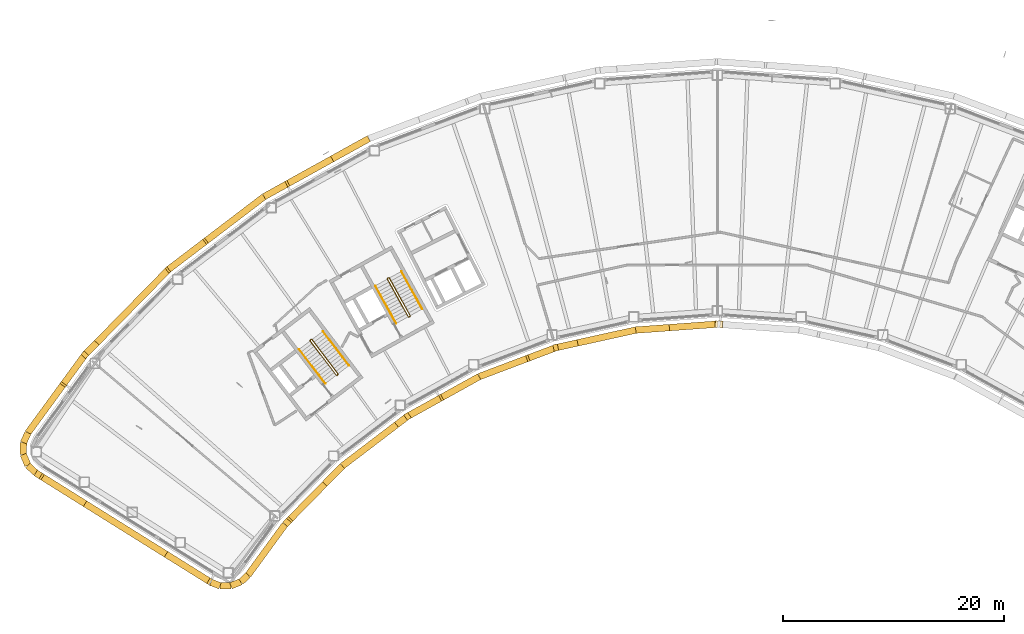
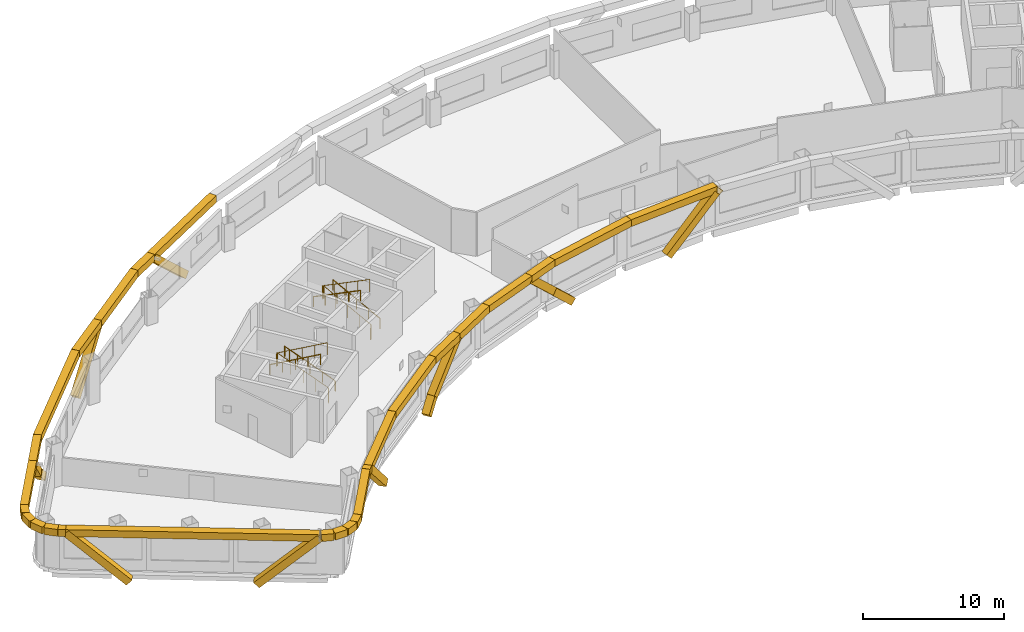
# One storey, part 17 of 20: 40 coverings, 6 railings.
"""IFC4 building model written with IfcOpenShell, lengths in metres."""

from ifc_helpers import new_model, si_unit, direction, frame, origin, origin_2d, place, context, subcontext, project, spatial, rectangle, circle, extrude, material, material_profile, profile_set, type_object, element, save


model = new_model("IFC4")

# Units and contexts
model_context = context("Model", 3, precision=1e-05, world=origin(), true_north=direction((0.0, 1.0)))
body_context = subcontext(model_context, "Body", "Model", "MODEL_VIEW")
ifc_project = project(units=[si_unit("LENGTHUNIT", "METRE"), si_unit("AREAUNIT", "SQUARE_METRE"), si_unit("VOLUMEUNIT", "CUBIC_METRE"), si_unit("PLANEANGLEUNIT", "RADIAN"), si_unit("MASSUNIT", "GRAM", prefix="KILO")], contexts=[model_context])

# Site, building, storey
site_placement = place(None, origin())
site = spatial("IfcSite", under=ifc_project, at=site_placement, CompositionType="ELEMENT")
building_placement = place(site_placement, origin())
building = spatial("IfcBuilding", under=site, at=building_placement, Name="Tuul Gate Civic Tower", CompositionType="ELEMENT")
storey_placement = place(building_placement, frame((0.0, 0.0, 197.300048828125)))
storey = spatial("IfcBuildingStorey", under=building, at=storey_placement, Name="Level 45", CompositionType="ELEMENT", Elevation=197.300048828125)

# Railings
ifc_material_1 = material(Name="Painted steel", Category="steel")
railing_type_1 = type_object("IfcRailingType", Name="Stair guard", PredefinedType="GUARDRAIL", material=ifc_material_1)
railing_1_placement = place(storey_placement, frame((-33.382080078125, -13.515380859375, 0.0)))
element("IfcRailing", 1, at=railing_1_placement, inside=storey, type_object=railing_type_1, Name="Level 45 ST-1 stair guard 1", PredefinedType="GUARDRAIL", context=body_context, shape_type="SweptSolid", body=[
    extrude(circle(Radius=0.02392578125, at=origin_2d()), frame((0.0, 0.0, 1.076171875), z_axis=(-0.795879841968, -0.605454603706, 0.0), x_axis=(0.605454603706, -0.795879841968, 0.0)), (0.0, 0.0, 1.0), 0.10009765625),
    extrude(circle(Radius=0.02392578125, at=origin_2d()), frame((-0.07958984375, -0.060546875, 1.076171875), z_axis=(0.408991890351, 0.599481263939, 0.688002796371), x_axis=(-0.826063974707, 0.563576356576, 0.0)), (0.0, 0.0, 1.0), 0.2177734375),
    extrude(circle(Radius=0.02392578125, at=origin_2d()), frame((0.009521484375, 0.070068359375, 1.22607421875), z_axis=(-0.541824460341, 0.711645023348, 0.447199748346), x_axis=(-0.795637165283, -0.60577347352, 0.0)), (0.0, 0.0, 1.0), 4.3603515625),
    extrude(circle(Radius=0.02392578125, at=origin_2d()), frame((-2.35302734375, 3.173095703125, 3.17578125), z_axis=(-0.990893089246, 0.134650977284, 0.0), x_axis=(-0.134650977284, -0.990893089246, 0.0)), (0.0, 0.0, 1.0), 0.07080078125),
    extrude(circle(Radius=0.02392578125, at=origin_2d()), frame((-2.423095703125, 3.1826171875, 3.17578125), z_axis=(-0.793802879778, -0.60817512943, 0.0), x_axis=(0.60817512943, -0.793802879778, 0.0)), (0.0, 0.0, 1.0), 0.099853515625),
    extrude(circle(Radius=0.02392578125, at=origin_2d()), frame((-2.50244140625, 3.121826171875, 3.17578125), z_axis=(-0.057370624079, -0.422188951554, 0.904690610473), x_axis=(0.990893089246, -0.134650977284, 0.0)), (0.0, 0.0, 1.0), 0.166015625),
    extrude(circle(Radius=0.02392578125, at=origin_2d()), frame((-2.511962890625, 3.0517578125, 3.326171875), z_axis=(0.541806494602, -0.71163897684, 0.447231136047), x_axis=(0.795644365679, 0.605764016233, 0.0)), (0.0, 0.0, 1.0), 4.360107421875),
    extrude(circle(Radius=0.02099609375, at=origin_2d()), origin(), (0.0, 0.0, 1.0), 1.052001953125),
    extrude(circle(Radius=0.02099609375, at=origin_2d()), frame((-0.07958984375, -0.060546875, 0.0)), (0.0, 0.0, 1.0), 1.052001953125),
    extrude(circle(Radius=0.02099609375, at=origin_2d()), frame((0.009521484375, 0.070068359375, 0.14990234375)), (0.0, 0.0, 1.0), 1.052001953125),
    extrude(circle(Radius=0.02099609375, at=origin_2d()), frame((-0.5810546875, 0.845703125, 0.637451171875)), (0.0, 0.0, 1.0), 1.052001953125),
    extrude(circle(Radius=0.02099609375, at=origin_2d()), frame((-1.171875, 1.62158203125, 1.125)), (0.0, 0.0, 1.0), 1.052001953125),
    extrude(circle(Radius=0.02099609375, at=origin_2d()), frame((-1.762451171875, 2.3974609375, 1.6123046875)), (0.0, 0.0, 1.0), 1.052001953125),
    extrude(circle(Radius=0.02099609375, at=origin_2d()), frame((-2.35302734375, 3.173095703125, 2.099853515625)), (0.0, 0.0, 1.0), 1.052001953125),
    extrude(circle(Radius=0.02099609375, at=origin_2d()), frame((-2.423095703125, 3.1826171875, 2.099853515625)), (0.0, 0.0, 1.0), 1.052001953125),
    extrude(circle(Radius=0.02099609375, at=origin_2d()), frame((-2.50244140625, 3.121826171875, 2.099853515625)), (0.0, 0.0, 1.0), 1.052001953125),
    extrude(circle(Radius=0.02099609375, at=origin_2d()), frame((-2.511962890625, 3.0517578125, 2.25)), (0.0, 0.0, 1.0), 1.052001953125),
    extrude(circle(Radius=0.02099609375, at=origin_2d()), frame((-1.92138671875, 2.276123046875, 2.737548828125)), (0.0, 0.0, 1.0), 1.052001953125),
    extrude(circle(Radius=0.02099609375, at=origin_2d()), frame((-1.330810546875, 1.50048828125, 3.22509765625)), (0.0, 0.0, 1.0), 1.052001953125),
    extrude(circle(Radius=0.02099609375, at=origin_2d()), frame((-0.740234375, 0.724609375, 3.71240234375)), (0.0, 0.0, 1.0), 1.052001953125),
    extrude(circle(Radius=0.02099609375, at=origin_2d()), frame((-0.149658203125, -0.051025390625, 4.199951171875)), (0.0, 0.0, 1.0), 1.052001953125),
])
railing_2_placement = place(storey_placement, frame((-26.857666015625, -8.247314453125, 0.0)))
element("IfcRailing", 2, at=railing_2_placement, inside=storey, type_object=railing_type_1, Name="Level 45 ST-2 stair guard 1", PredefinedType="GUARDRAIL", context=body_context, shape_type="SweptSolid", body=[
    extrude(circle(Radius=0.02392578125, at=origin_2d()), frame((0.0, 0.0, 1.076171875), z_axis=(-0.874616555828, -0.48481530532, 0.0), x_axis=(0.48481530532, -0.874616555828, 0.0)), (0.0, 0.0, 1.0), 0.10009765625),
    extrude(circle(Radius=0.02392578125, at=origin_2d()), frame((-0.087646484375, -0.048583984375, 1.076171875), z_axis=(0.49081399482, 0.534516610797, 0.688036056665), x_axis=(-0.736576986774, 0.676353711126, 0.0)), (0.0, 0.0, 1.0), 0.2177734375),
    extrude(circle(Radius=0.02392578125, at=origin_2d()), frame((0.019287109375, 0.06787109375, 1.22607421875), z_axis=(-0.43354991378, 0.782327185242, 0.447212083348), x_axis=(-0.874667644053, -0.484723129681, 0.0)), (0.0, 0.0, 1.0), 4.3603515625),
    extrude(circle(Radius=0.02392578125, at=origin_2d()), frame((-1.87109375, 3.47900390625, 3.17578125), z_axis=(-0.961263487578, 0.275631107549, 0.0), x_axis=(-0.275631107549, -0.961263487578, 0.0)), (0.0, 0.0, 1.0), 0.07080078125),
    extrude(circle(Radius=0.02392578125, at=origin_2d()), frame((-1.939208984375, 3.49853515625, 3.17578125), z_axis=(-0.874042088414, -0.485850211157, 0.0), x_axis=(0.485850211157, -0.874042088414, 0.0)), (0.0, 0.0, 1.0), 0.10009765625),
    extrude(circle(Radius=0.02392578125, at=origin_2d()), frame((-2.026611328125, 3.449951171875, 3.17578125), z_axis=(-0.117709570447, -0.409040757305, 0.904892322815), x_axis=(0.961000426733, -0.276546885391, 0.0)), (0.0, 0.0, 1.0), 0.166015625),
    extrude(circle(Radius=0.02392578125, at=origin_2d()), frame((-2.046142578125, 3.382080078125, 3.326171875), z_axis=(0.433595379963, -0.782308193291, 0.447201226726), x_axis=(0.874641102302, 0.484771020343, 0.0)), (0.0, 0.0, 1.0), 4.3603515625),
    extrude(circle(Radius=0.02099609375, at=origin_2d()), origin(), (0.0, 0.0, 1.0), 1.052001953125),
    extrude(circle(Radius=0.02099609375, at=origin_2d()), frame((-0.087646484375, -0.048583984375, 0.0)), (0.0, 0.0, 1.0), 1.052001953125),
    extrude(circle(Radius=0.02099609375, at=origin_2d()), frame((0.019287109375, 0.06787109375, 0.14990234375)), (0.0, 0.0, 1.0), 1.052001953125),
    extrude(circle(Radius=0.02099609375, at=origin_2d()), frame((-0.453369140625, 0.920654296875, 0.637451171875)), (0.0, 0.0, 1.0), 1.052001953125),
    extrude(circle(Radius=0.02099609375, at=origin_2d()), frame((-0.92578125, 1.7734375, 1.125)), (0.0, 0.0, 1.0), 1.052001953125),
    extrude(circle(Radius=0.02099609375, at=origin_2d()), frame((-1.3984375, 2.626220703125, 1.6123046875)), (0.0, 0.0, 1.0), 1.052001953125),
    extrude(circle(Radius=0.02099609375, at=origin_2d()), frame((-1.87109375, 3.47900390625, 2.099853515625)), (0.0, 0.0, 1.0), 1.052001953125),
    extrude(circle(Radius=0.02099609375, at=origin_2d()), frame((-1.939208984375, 3.49853515625, 2.099853515625)), (0.0, 0.0, 1.0), 1.052001953125),
    extrude(circle(Radius=0.02099609375, at=origin_2d()), frame((-2.026611328125, 3.449951171875, 2.099853515625)), (0.0, 0.0, 1.0), 1.052001953125),
    extrude(circle(Radius=0.02099609375, at=origin_2d()), frame((-2.046142578125, 3.382080078125, 2.25)), (0.0, 0.0, 1.0), 1.052001953125),
    extrude(circle(Radius=0.02099609375, at=origin_2d()), frame((-1.573486328125, 2.529296875, 2.737548828125)), (0.0, 0.0, 1.0), 1.052001953125),
    extrude(circle(Radius=0.02099609375, at=origin_2d()), frame((-1.100830078125, 1.676513671875, 3.22509765625)), (0.0, 0.0, 1.0), 1.052001953125),
    extrude(circle(Radius=0.02099609375, at=origin_2d()), frame((-0.628173828125, 0.82373046875, 3.71240234375)), (0.0, 0.0, 1.0), 1.052001953125),
    extrude(circle(Radius=0.02099609375, at=origin_2d()), frame((-0.155517578125, -0.029052734375, 4.199951171875)), (0.0, 0.0, 1.0), 1.052001953125),
])
ifc_material_2 = material(Name="Painted steel", Category="steel")
railing_type_2 = type_object("IfcRailingType", Name="Stair handrail", PredefinedType="HANDRAIL", material=ifc_material_2)
railing_3_placement = place(storey_placement, frame((-32.3779296875, -12.688232421875, 0.14990234375)))
element("IfcRailing", 3, at=railing_3_placement, inside=storey, type_object=railing_type_2, Name="Level 45 ST-1 stair handrail 1", PredefinedType="HANDRAIL", context=body_context, shape_type="SweptSolid", body=[
    extrude(circle(Radius=0.02392578125, at=origin_2d()), frame((0.0, 0.0, 0.8759765625), z_axis=(-0.541824460341, 0.711645023348, 0.447199748346), x_axis=(-0.795637165283, -0.60577347352, 0.0)), (0.0, 0.0, 1.0), 4.3603515625),
    extrude(circle(Radius=0.02099609375, at=origin_2d()), origin(), (0.0, 0.0, 1.0), 0.851806640625),
    extrude(circle(Radius=0.02099609375, at=origin_2d()), frame((-0.590576171875, 0.77587890625, 0.487548828125)), (0.0, 0.0, 1.0), 0.851806640625),
    extrude(circle(Radius=0.02099609375, at=origin_2d()), frame((-1.18115234375, 1.551513671875, 0.97509765625)), (0.0, 0.0, 1.0), 0.851806640625),
    extrude(circle(Radius=0.02099609375, at=origin_2d()), frame((-1.77197265625, 2.3271484375, 1.46240234375)), (0.0, 0.0, 1.0), 0.851806640625),
    extrude(circle(Radius=0.02099609375, at=origin_2d()), frame((-2.362548828125, 3.10302734375, 1.949951171875)), (0.0, 0.0, 1.0), 0.851806640625),
])
railing_4_placement = place(storey_placement, frame((-36.888671875, -11.220703125, 2.25)))
element("IfcRailing", 4, at=railing_4_placement, inside=storey, type_object=railing_type_2, Name="Level 45 ST-1 stair handrail 2", PredefinedType="HANDRAIL", context=body_context, shape_type="SweptSolid", body=[
    extrude(circle(Radius=0.02392578125, at=origin_2d()), frame((0.0, 0.0, 0.8759765625), z_axis=(0.541824460341, -0.711645023348, 0.447199748346), x_axis=(0.795637165283, 0.60577347352, 0.0)), (0.0, 0.0, 1.0), 4.3603515625),
    extrude(circle(Radius=0.02099609375, at=origin_2d()), origin(), (0.0, 0.0, 1.0), 0.851806640625),
    extrude(circle(Radius=0.02099609375, at=origin_2d()), frame((0.590576171875, -0.77587890625, 0.487548828125)), (0.0, 0.0, 1.0), 0.851806640625),
    extrude(circle(Radius=0.02099609375, at=origin_2d()), frame((1.18115234375, -1.551513671875, 0.97509765625)), (0.0, 0.0, 1.0), 0.851806640625),
    extrude(circle(Radius=0.02099609375, at=origin_2d()), frame((1.77197265625, -2.3271484375, 1.46240234375)), (0.0, 0.0, 1.0), 0.851806640625),
    extrude(circle(Radius=0.02099609375, at=origin_2d()), frame((2.362548828125, -3.10302734375, 1.949951171875)), (0.0, 0.0, 1.0), 0.851806640625),
])
railing_5_placement = place(storey_placement, frame((-25.744873046875, -7.573486328125, 0.14990234375)))
element("IfcRailing", 5, at=railing_5_placement, inside=storey, type_object=railing_type_2, Name="Level 45 ST-2 stair handrail 1", PredefinedType="HANDRAIL", context=body_context, shape_type="SweptSolid", body=[
    extrude(circle(Radius=0.02392578125, at=origin_2d()), frame((0.0, 0.0, 0.8759765625), z_axis=(-0.433595379963, 0.782308193291, 0.447201226726), x_axis=(-0.874641102302, -0.484771020343, 0.0)), (0.0, 0.0, 1.0), 4.3603515625),
    extrude(circle(Radius=0.02099609375, at=origin_2d()), origin(), (0.0, 0.0, 1.0), 0.851806640625),
    extrude(circle(Radius=0.02099609375, at=origin_2d()), frame((-0.47265625, 0.852783203125, 0.487548828125)), (0.0, 0.0, 1.0), 0.851806640625),
    extrude(circle(Radius=0.02099609375, at=origin_2d()), frame((-0.9453125, 1.70556640625, 0.97509765625)), (0.0, 0.0, 1.0), 0.851806640625),
    extrude(circle(Radius=0.02099609375, at=origin_2d()), frame((-1.41796875, 2.558349609375, 1.46240234375)), (0.0, 0.0, 1.0), 0.851806640625),
    extrude(circle(Radius=0.02099609375, at=origin_2d()), frame((-1.890625, 3.4111328125, 1.949951171875)), (0.0, 0.0, 1.0), 0.851806640625),
])
railing_6_placement = place(storey_placement, frame((-29.9970703125, -5.47119140625, 2.25)))
element("IfcRailing", 6, at=railing_6_placement, inside=storey, type_object=railing_type_2, Name="Level 45 ST-2 stair handrail 2", PredefinedType="HANDRAIL", context=body_context, shape_type="SweptSolid", body=[
    extrude(circle(Radius=0.02392578125, at=origin_2d()), frame((0.0, 0.0, 0.8759765625), z_axis=(0.433595379963, -0.782308193291, 0.447201226726), x_axis=(0.874641102302, 0.484771020343, 0.0)), (0.0, 0.0, 1.0), 4.3603515625),
    extrude(circle(Radius=0.02099609375, at=origin_2d()), origin(), (0.0, 0.0, 1.0), 0.851806640625),
    extrude(circle(Radius=0.02099609375, at=origin_2d()), frame((0.47265625, -0.852783203125, 0.487548828125)), (0.0, 0.0, 1.0), 0.851806640625),
    extrude(circle(Radius=0.02099609375, at=origin_2d()), frame((0.9453125, -1.70556640625, 0.97509765625)), (0.0, 0.0, 1.0), 0.851806640625),
    extrude(circle(Radius=0.02099609375, at=origin_2d()), frame((1.41796875, -2.558349609375, 1.46240234375)), (0.0, 0.0, 1.0), 0.851806640625),
    extrude(circle(Radius=0.02099609375, at=origin_2d()), frame((1.890625, -3.4111328125, 1.949951171875)), (0.0, 0.0, 1.0), 0.851806640625),
])

# Coverings
ifc_material_3 = material(Name="Terracotta baguette", Category="masonry")
ifc_material_profile = material_profile(ifc_material_3, rectangle(XDim=0.60009765625, YDim=0.60009765625, at=origin_2d()), Name="Terracotta baguette screen frame")
ifc_profile_set = profile_set([ifc_material_profile], Name="Terracotta baguette")
covering_type = type_object("IfcCoveringType", Name="Terracotta baguette screen frame", PredefinedType="CLADDING", material=ifc_profile_set)
covering_1_placement = place(storey_placement, frame((-34.08251953125, 5.91943359375, -0.35009765625), z_axis=(-0.641784666294, -0.355744032612, 0.679381060504), x_axis=(0.484806475071, -0.874621450531, 0.0)))
element("IfcCovering", 7, at=covering_1_placement, inside=storey, type_object=covering_type, Name="Baguette 104", PredefinedType="CLADDING", context=body_context, shape_type="SweptSolid", body=[
    extrude(rectangle(XDim=0.60009765625, YDim=0.60009765625, at=origin_2d()), origin(), (0.0, 0.0, 1.0), 6.18212890625),
])
covering_2_placement = place(storey_placement, frame((-38.050048828125, 3.72021484375, 3.849853515625), z_axis=(-0.874635533346, -0.484781067915, 0.0), x_axis=(0.484781067915, -0.874635533346, 0.0)))
element("IfcCovering", 8, at=covering_2_placement, inside=storey, type_object=covering_type, Name="Baguette 109", PredefinedType="CLADDING", context=body_context, shape_type="SweptSolid", body=[
    extrude(rectangle(XDim=0.60009765625, YDim=0.60009765625, at=origin_2d()), origin(), (0.0, 0.0, 1.0), 2.3095703125),
])
covering_3_placement = place(storey_placement, frame((-40.070068359375, 2.6005859375, 3.849853515625), z_axis=(-0.795616483898, -0.605800635977, 0.0), x_axis=(0.605800635977, -0.795616483898, 0.0)))
element("IfcCovering", 9, at=covering_3_placement, inside=storey, type_object=covering_type, Name="Baguette 110", PredefinedType="CLADDING", context=body_context, shape_type="SweptSolid", body=[
    extrude(rectangle(XDim=0.60009765625, YDim=0.60009765625, at=origin_2d()), origin(), (0.0, 0.0, 1.0), 6.762939453125),
])
covering_4_placement = place(storey_placement, frame((-45.45068359375, -1.496337890625, 3.849853515625), z_axis=(-0.583816270672, -0.444522370607, -0.679380912396), x_axis=(0.605793108402, -0.79562221551, 0.0)))
element("IfcCovering", 10, at=covering_4_placement, inside=storey, type_object=covering_type, Name="Baguette 113", PredefinedType="CLADDING", context=body_context, shape_type="SweptSolid", body=[
    extrude(rectangle(XDim=0.60009765625, YDim=0.60009765625, at=origin_2d()), origin(), (0.0, 0.0, 1.0), 5.57177734375),
])
covering_5_placement = place(storey_placement, frame((-55.3681640625, -10.771484375, -0.35009765625), z_axis=(-0.513649237452, -0.524016469767, 0.679390315119), x_axis=(0.714135785527, -0.700007199842, 0.0)))
element("IfcCovering", 11, at=covering_5_placement, inside=storey, type_object=covering_type, Name="Baguette 127", PredefinedType="CLADDING", context=body_context, shape_type="SweptSolid", body=[
    extrude(rectangle(XDim=0.60009765625, YDim=0.60009765625, at=origin_2d()), origin(), (0.0, 0.0, 1.0), 1.813232421875),
])
covering_6_placement = place(storey_placement, frame((-56.299560546875, -11.7216796875, 0.8818359375), z_axis=(-0.433756102207, -0.593983365967, 0.677524468011), x_axis=(0.807590994458, -0.589742982723, 0.0)))
element("IfcCovering", 12, at=covering_6_placement, inside=storey, type_object=covering_type, Name="Baguette 128", PredefinedType="CLADDING", context=body_context, shape_type="SweptSolid", body=[
    extrude(rectangle(XDim=0.60009765625, YDim=0.60009765625, at=origin_2d()), origin(), (0.0, 0.0, 1.0), 4.380615234375),
])
covering_7_placement = place(storey_placement, frame((-58.19970703125, -14.32373046875, 3.849853515625), z_axis=(-0.589776736923, -0.807566344386, 0.0), x_axis=(0.807566344386, -0.589776736923, 0.0)))
element("IfcCovering", 13, at=covering_7_placement, inside=storey, type_object=covering_type, Name="Baguette 141", PredefinedType="CLADDING", context=body_context, shape_type="SweptSolid", body=[
    extrude(rectangle(XDim=0.60009765625, YDim=0.60009765625, at=origin_2d()), origin(), (0.0, 0.0, 1.0), 5.512939453125),
])
covering_8_placement = place(storey_placement, frame((-61.451171875, -18.77587890625, 3.849853515625), z_axis=(-0.413393330634, -0.910552554325, 0.0), x_axis=(0.910552554325, -0.413393330634, 0.0)))
element("IfcCovering", 14, at=covering_8_placement, inside=storey, type_object=covering_type, Name="Baguette 142", PredefinedType="CLADDING", context=body_context, shape_type="SweptSolid", body=[
    extrude(rectangle(XDim=0.60009765625, YDim=0.60009765625, at=origin_2d()), origin(), (0.0, 0.0, 1.0), 0.988037109375),
])
covering_9_placement = place(storey_placement, frame((-61.859619140625, -19.675537109375, 3.849853515625), z_axis=(-0.014633694716, -0.999892921757, 0.0), x_axis=(0.999892921757, -0.014633694716, 0.0)))
element("IfcCovering", 15, at=covering_9_placement, inside=storey, type_object=covering_type, Name="Baguette 143", PredefinedType="CLADDING", context=body_context, shape_type="SweptSolid", body=[
    extrude(rectangle(XDim=0.60009765625, YDim=0.60009765625, at=origin_2d()), origin(), (0.0, 0.0, 1.0), 1.067626953125),
])
covering_10_placement = place(storey_placement, frame((-61.875244140625, -20.7431640625, 3.849853515625), z_axis=(0.385784883999, -0.922588761734, 0.0), x_axis=(0.922588761734, 0.385784883999, 0.0)))
element("IfcCovering", 16, at=covering_10_placement, inside=storey, type_object=covering_type, Name="Baguette 144", PredefinedType="CLADDING", context=body_context, shape_type="SweptSolid", body=[
    extrude(rectangle(XDim=0.60009765625, YDim=0.60009765625, at=origin_2d()), origin(), (0.0, 0.0, 1.0), 1.06689453125),
])
covering_11_placement = place(storey_placement, frame((-61.463623046875, -21.7275390625, 3.849853515625), z_axis=(0.722137314744, -0.691749737011, 0.0), x_axis=(0.691749737011, 0.722137314744, 0.0)))
element("IfcCovering", 17, at=covering_11_placement, inside=storey, type_object=covering_type, Name="Baguette 145", PredefinedType="CLADDING", context=body_context, shape_type="SweptSolid", body=[
    extrude(rectangle(XDim=0.60009765625, YDim=0.60009765625, at=origin_2d()), origin(), (0.0, 0.0, 1.0), 0.98828125),
])
covering_12_placement = place(storey_placement, frame((-60.75, -22.4111328125, 3.849853515625), z_axis=(0.848049364617, -0.529917234267, 0.0), x_axis=(0.529917234267, 0.848049364617, 0.0)))
element("IfcCovering", 18, at=covering_12_placement, inside=storey, type_object=covering_type, Name="Baguette 146", PredefinedType="CLADDING", context=body_context, shape_type="SweptSolid", body=[
    extrude(rectangle(XDim=0.60009765625, YDim=0.60009765625, at=origin_2d()), origin(), (0.0, 0.0, 1.0), 0.537109375),
])
for number, where, z_axis, x_axis, name in (
    (19, (-60.29443359375, -22.69580078125, 3.849853515625), (0.62165839142, -0.388462360599, -0.68017485897), (0.529926214669, 0.848043753002, 0.0), "Baguette 148"),
    (20, (-48.778076171875, -29.891845703125, -0.35009765625), (0.621667939257, -0.388428788098, 0.680185305543), (0.529887423043, 0.848067991909, 0.0), "Baguette 156"),
):
    element("IfcCovering", number, at=place(storey_placement, frame(where, z_axis=z_axis, x_axis=x_axis)), inside=storey, type_object=covering_type, Name=name, PredefinedType="CLADDING", context=body_context, shape_type="SweptSolid", body=[
        extrude(rectangle(XDim=0.60009765625, YDim=0.60009765625, at=origin_2d()), origin(), (0.0, 0.0, 1.0), 6.1748046875),
    ])
covering_13_placement = place(storey_placement, frame((-44.894775390625, -32.318359375, 3.849853515625), z_axis=(0.931836861998, -0.362877476047, 0.0), x_axis=(0.362877476047, 0.931836861998, 0.0)))
element("IfcCovering", 21, at=covering_13_placement, inside=storey, type_object=covering_type, Name="Baguette 172", PredefinedType="CLADDING", context=body_context, shape_type="SweptSolid", body=[
    extrude(rectangle(XDim=0.60009765625, YDim=0.60009765625, at=origin_2d()), origin(), (0.0, 0.0, 1.0), 0.901611328125),
])
covering_14_placement = place(storey_placement, frame((-44.0546875, -32.6455078125, 3.849853515625), z_axis=(0.999995470638, 0.003009768158, 0.0), x_axis=(-0.003009768158, 0.999995470638, 0.0)))
element("IfcCovering", 22, at=covering_14_placement, inside=storey, type_object=covering_type, Name="Baguette 173", PredefinedType="CLADDING", context=body_context, shape_type="SweptSolid", body=[
    extrude(rectangle(XDim=0.60009765625, YDim=0.60009765625, at=origin_2d()), origin(), (0.0, 0.0, 1.0), 0.973388671875),
])
covering_15_placement = place(storey_placement, frame((-43.081298828125, -32.642578125, 3.849853515625), z_axis=(0.92921778572, 0.369532551614, 0.0), x_axis=(-0.369532551614, 0.92921778572, 0.0)))
element("IfcCovering", 23, at=covering_15_placement, inside=storey, type_object=covering_type, Name="Baguette 174", PredefinedType="CLADDING", context=body_context, shape_type="SweptSolid", body=[
    extrude(rectangle(XDim=0.60009765625, YDim=0.60009765625, at=origin_2d()), origin(), (0.0, 0.0, 1.0), 0.974609375),
])
covering_16_placement = place(storey_placement, frame((-42.17578125, -32.282470703125, 3.849853515625), z_axis=(0.729883388516, 0.68357167815, 0.0), x_axis=(-0.68357167815, 0.729883388516, 0.0)))
element("IfcCovering", 24, at=covering_16_placement, inside=storey, type_object=covering_type, Name="Baguette 175", PredefinedType="CLADDING", context=body_context, shape_type="SweptSolid", body=[
    extrude(rectangle(XDim=0.60009765625, YDim=0.60009765625, at=origin_2d()), origin(), (0.0, 0.0, 1.0), 0.9013671875),
])
covering_17_placement = place(storey_placement, frame((-41.517822265625, -31.666259765625, 3.849853515625), z_axis=(0.589729447422, 0.807600878432, 0.0), x_axis=(-0.807600878432, 0.589729447422, 0.0)))
element("IfcCovering", 25, at=covering_17_placement, inside=storey, type_object=covering_type, Name="Baguette 176", PredefinedType="CLADDING", context=body_context, shape_type="SweptSolid", body=[
    extrude(rectangle(XDim=0.60009765625, YDim=0.60009765625, at=origin_2d()), origin(), (0.0, 0.0, 1.0), 5.671142578125),
])
covering_18_placement = place(storey_placement, frame((-38.17333984375, -27.086181640625, 3.849853515625), z_axis=(0.700128863512, 0.714016508547, 0.0), x_axis=(-0.714016508547, 0.700128863512, 0.0)))
element("IfcCovering", 26, at=covering_18_placement, inside=storey, type_object=covering_type, Name="Baguette 177", PredefinedType="CLADDING", context=body_context, shape_type="SweptSolid", body=[
    extrude(rectangle(XDim=0.60009765625, YDim=0.60009765625, at=origin_2d()), origin(), (0.0, 0.0, 1.0), 0.509765625),
])
covering_19_placement = place(storey_placement, frame((-37.81640625, -26.72216796875, 3.849853515625), z_axis=(0.507841276183, 0.517964491033, -0.688338597083), x_axis=(-0.714050130155, 0.700094573344, 0.0)))
element("IfcCovering", 27, at=covering_19_placement, inside=storey, type_object=covering_type, Name="Baguette 179", PredefinedType="CLADDING", context=body_context, shape_type="SweptSolid", body=[
    extrude(rectangle(XDim=0.60009765625, YDim=0.60009765625, at=origin_2d()), origin(), (0.0, 0.0, 1.0), 6.1015625),
])
covering_20_placement = place(storey_placement, frame((-27.912353515625, -17.930419921875, -0.35009765625), z_axis=(0.577099521251, 0.43950168578, 0.688327255576), x_axis=(-0.605874698824, 0.795560085302, 0.0)))
element("IfcCovering", 28, at=covering_20_placement, inside=storey, type_object=covering_type, Name="Baguette 192", PredefinedType="CLADDING", context=body_context, shape_type="SweptSolid", body=[
    extrude(rectangle(XDim=0.60009765625, YDim=0.60009765625, at=origin_2d()), origin(), (0.0, 0.0, 1.0), 1.4443359375),
])
covering_21_placement = place(storey_placement, frame((-27.078857421875, -17.295654296875, 0.64404296875), z_axis=(0.634442384971, 0.351687512251, 0.688330410398), x_axis=(-0.484820540629, 0.874613653783, 0.0)))
element("IfcCovering", 29, at=covering_21_placement, inside=storey, type_object=covering_type, Name="Baguette 193", PredefinedType="CLADDING", context=body_context, shape_type="SweptSolid", body=[
    extrude(rectangle(XDim=0.60009765625, YDim=0.60009765625, at=origin_2d()), origin(), (0.0, 0.0, 1.0), 4.657470703125),
])
covering_22_placement = place(storey_placement, frame((-24.1240234375, -15.65771484375, 3.849853515625), z_axis=(0.874618697284, 0.484811442069, 0.0), x_axis=(-0.484811442069, 0.874618697284, 0.0)))
element("IfcCovering", 30, at=covering_22_placement, inside=storey, type_object=covering_type, Name="Baguette 198", PredefinedType="CLADDING", context=body_context, shape_type="SweptSolid", body=[
    extrude(rectangle(XDim=0.60009765625, YDim=0.60009765625, at=origin_2d()), origin(), (0.0, 0.0, 1.0), 4.039794921875),
])
covering_23_placement = place(storey_placement, frame((-20.5908203125, -13.69921875, 3.849853515625), z_axis=(0.935372913928, 0.353662991972, 0.0), x_axis=(-0.353662991972, 0.935372913928, 0.0)))
element("IfcCovering", 31, at=covering_23_placement, inside=storey, type_object=covering_type, Name="Baguette 199", PredefinedType="CLADDING", context=body_context, shape_type="SweptSolid", body=[
    extrude(rectangle(XDim=0.60009765625, YDim=0.60009765625, at=origin_2d()), origin(), (0.0, 0.0, 1.0), 4.812255859375),
])
covering_24_placement = place(storey_placement, frame((-16.089599609375, -11.997314453125, 3.849853515625), z_axis=(0.678487267173, 0.25659080681, -0.688343072998), x_axis=(-0.353730371417, 0.935347435094, 0.0)))
element("IfcCovering", 32, at=covering_24_placement, inside=storey, type_object=covering_type, Name="Baguette 202", PredefinedType="CLADDING", context=body_context, shape_type="SweptSolid", body=[
    extrude(rectangle(XDim=0.60009765625, YDim=0.60009765625, at=origin_2d()), origin(), (0.0, 0.0, 1.0), 3.591796875),
])
covering_25_placement = place(storey_placement, frame((-13.652587890625, -11.07568359375, 1.37744140625), z_axis=(0.708382768313, 0.156132153686, -0.688343376625), x_axis=(-0.215240395152, 0.976561095014, 0.0)))
element("IfcCovering", 33, at=covering_25_placement, inside=storey, type_object=covering_type, Name="Baguette 203", PredefinedType="CLADDING", context=body_context, shape_type="SweptSolid", body=[
    extrude(rectangle(XDim=0.60009765625, YDim=0.60009765625, at=origin_2d()), origin(), (0.0, 0.0, 1.0), 2.509765625),
])
covering_26_placement = place(storey_placement, frame((-3.16259765625, -9.243896484375, -0.35009765625), z_axis=(0.723483759408, 0.052403550567, 0.688349560733), x_axis=(-0.072242980808, 0.99738706214, 0.0)))
element("IfcCovering", 34, at=covering_26_placement, inside=storey, type_object=covering_type, Name="Baguette 218", PredefinedType="CLADDING", context=body_context, shape_type="SweptSolid", body=[
    extrude(rectangle(XDim=0.60009765625, YDim=0.60009765625, at=origin_2d()), origin(), (0.0, 0.0, 1.0), 5.73974609375),
])
covering_27_placement = place(storey_placement, frame((0.989990234375, -8.943115234375, 3.600830078125), z_axis=(0.723801814975, -0.051941043572, 0.688050187581), x_axis=(0.071577352276, 0.997435051841, 0.0)))
element("IfcCovering", 35, at=covering_27_placement, inside=storey, type_object=covering_type, Name="Baguette 219", PredefinedType="CLADDING", context=body_context, shape_type="SweptSolid", body=[
    extrude(rectangle(XDim=0.60009765625, YDim=0.60009765625, at=origin_2d()), origin(), (0.0, 0.0, 1.0), 0.36181640625),
])
covering_28_placement = place(storey_placement, frame((-30.5791015625, 7.861328125, 3.849853515625), z_axis=(-0.874624691551, -0.484800628021, 0.0), x_axis=(0.484800628021, -0.874624691551, 0.0)))
element("IfcCovering", 36, at=covering_28_placement, inside=storey, type_object=covering_type, Name="Baguette 410", PredefinedType="CLADDING", context=body_context, shape_type="SweptSolid", body=[
    extrude(rectangle(XDim=0.60009765625, YDim=0.60009765625, at=origin_2d()), origin(), (0.0, 0.0, 1.0), 8.5419921875),
])
covering_29_placement = place(storey_placement, frame((-45.45068359375, -1.496337890625, 3.849853515625), z_axis=(-0.79562221551, -0.605793108402, 0.0), x_axis=(0.605793108402, -0.79562221551, 0.0)))
element("IfcCovering", 37, at=covering_29_placement, inside=storey, type_object=covering_type, Name="Baguette 411", PredefinedType="CLADDING", context=body_context, shape_type="SweptSolid", body=[
    extrude(rectangle(XDim=0.60009765625, YDim=0.60009765625, at=origin_2d()), origin(), (0.0, 0.0, 1.0), 4.088623046875),
])
covering_30_placement = place(storey_placement, frame((-48.70361328125, -3.97314453125, 3.849853515625), z_axis=(-0.700040591401, -0.714103053061, 0.0), x_axis=(0.714103053061, -0.700040591401, 0.0)))
element("IfcCovering", 38, at=covering_30_placement, inside=storey, type_object=covering_type, Name="Baguette 412", PredefinedType="CLADDING", context=body_context, shape_type="SweptSolid", body=[
    extrude(rectangle(XDim=0.60009765625, YDim=0.60009765625, at=origin_2d()), origin(), (0.0, 0.0, 1.0), 10.850830078125),
])
covering_31_placement = place(storey_placement, frame((-56.299560546875, -11.7216796875, 3.849853515625), z_axis=(-0.589742982723, -0.807590994458, 0.0), x_axis=(0.807590994458, -0.589742982723, 0.0)))
element("IfcCovering", 39, at=covering_31_placement, inside=storey, type_object=covering_type, Name="Baguette 413", PredefinedType="CLADDING", context=body_context, shape_type="SweptSolid", body=[
    extrude(rectangle(XDim=0.60009765625, YDim=0.60009765625, at=origin_2d()), origin(), (0.0, 0.0, 1.0), 3.221923828125),
])
covering_32_placement = place(storey_placement, frame((-60.29443359375, -22.69580078125, 3.849853515625), z_axis=(0.848057385556, -0.529904397796, 0.0), x_axis=(0.529904397796, 0.848057385556, 0.0)))
element("IfcCovering", 40, at=covering_32_placement, inside=storey, type_object=covering_type, Name="Baguette 414", PredefinedType="CLADDING", context=body_context, shape_type="SweptSolid", body=[
    extrude(rectangle(XDim=0.60009765625, YDim=0.60009765625, at=origin_2d()), origin(), (0.0, 0.0, 1.0), 18.10595703125),
])
covering_33_placement = place(storey_placement, frame((-37.81640625, -26.72216796875, 3.849853515625), z_axis=(0.700091906079, 0.71405274528, 0.0), x_axis=(-0.71405274528, 0.700091906079, 0.0)))
element("IfcCovering", 41, at=covering_33_placement, inside=storey, type_object=covering_type, Name="Baguette 415", PredefinedType="CLADDING", context=body_context, shape_type="SweptSolid", body=[
    extrude(rectangle(XDim=0.60009765625, YDim=0.60009765625, at=origin_2d()), origin(), (0.0, 0.0, 1.0), 6.907470703125),
])
covering_34_placement = place(storey_placement, frame((-32.98046875, -21.789794921875, 3.849853515625), z_axis=(0.795582797942, 0.60584487422, 0.0), x_axis=(-0.60584487422, 0.795582797942, 0.0)))
element("IfcCovering", 42, at=covering_34_placement, inside=storey, type_object=covering_type, Name="Baguette 416", PredefinedType="CLADDING", context=body_context, shape_type="SweptSolid", body=[
    extrude(rectangle(XDim=0.60009765625, YDim=0.60009765625, at=origin_2d()), origin(), (0.0, 0.0, 1.0), 7.41796875),
])
covering_35_placement = place(storey_placement, frame((-27.078857421875, -17.295654296875, 3.849853515625), z_axis=(0.874613653783, 0.484820540629, 0.0), x_axis=(-0.484820540629, 0.874613653783, 0.0)))
element("IfcCovering", 43, at=covering_35_placement, inside=storey, type_object=covering_type, Name="Baguette 417", PredefinedType="CLADDING", context=body_context, shape_type="SweptSolid", body=[
    extrude(rectangle(XDim=0.60009765625, YDim=0.60009765625, at=origin_2d()), origin(), (0.0, 0.0, 1.0), 3.37841796875),
])
covering_36_placement = place(storey_placement, frame((-16.089599609375, -11.997314453125, 3.849853515625), z_axis=(0.935347435094, 0.353730371417, 0.0), x_axis=(-0.353730371417, 0.935347435094, 0.0)))
element("IfcCovering", 44, at=covering_36_placement, inside=storey, type_object=covering_type, Name="Baguette 418", PredefinedType="CLADDING", context=body_context, shape_type="SweptSolid", body=[
    extrude(rectangle(XDim=0.60009765625, YDim=0.60009765625, at=origin_2d()), origin(), (0.0, 0.0, 1.0), 2.60546875),
])
covering_37_placement = place(storey_placement, frame((-13.652587890625, -11.07568359375, 3.849853515625), z_axis=(0.976558886135, 0.215250416748, 0.0), x_axis=(-0.215250416748, 0.976558886135, 0.0)))
element("IfcCovering", 45, at=covering_37_placement, inside=storey, type_object=covering_type, Name="Baguette 419", PredefinedType="CLADDING", context=body_context, shape_type="SweptSolid", body=[
    extrude(rectangle(XDim=0.60009765625, YDim=0.60009765625, at=origin_2d()), origin(), (0.0, 0.0, 1.0), 7.417724609375),
])
covering_38_placement = place(storey_placement, frame((-6.40869140625, -9.47900390625, 3.849853515625), z_axis=(0.997387202257, 0.072241046327, 0.0), x_axis=(-0.072241046327, 0.997387202257, 0.0)))
element("IfcCovering", 46, at=covering_38_placement, inside=storey, type_object=covering_type, Name="Baguette 420", PredefinedType="CLADDING", context=body_context, shape_type="SweptSolid", body=[
    extrude(rectangle(XDim=0.60009765625, YDim=0.60009765625, at=origin_2d()), origin(), (0.0, 0.0, 1.0), 7.41796875),
])

save(model, "model.ifc")
